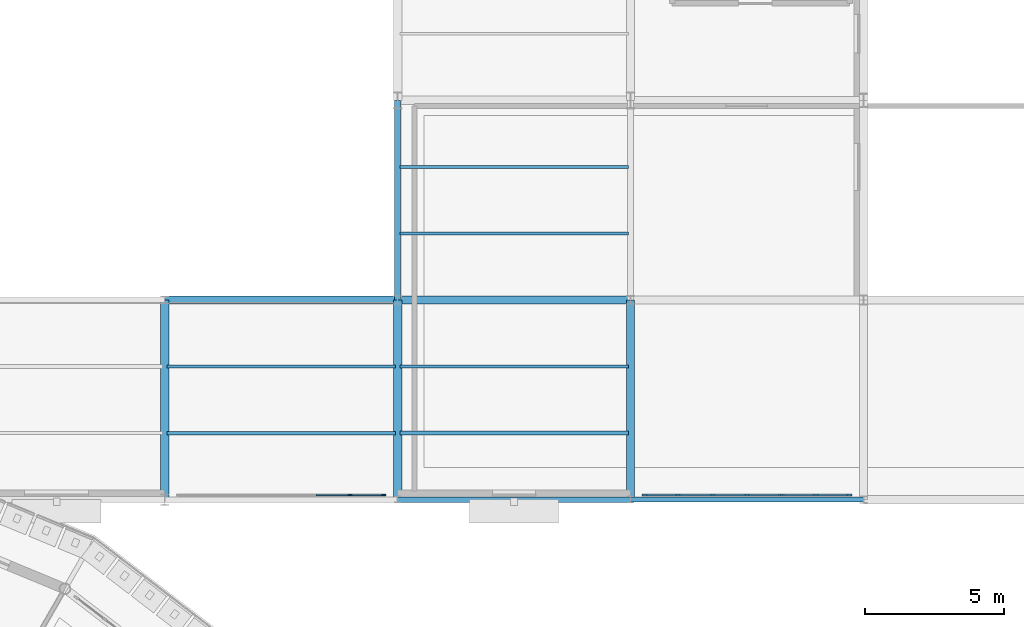
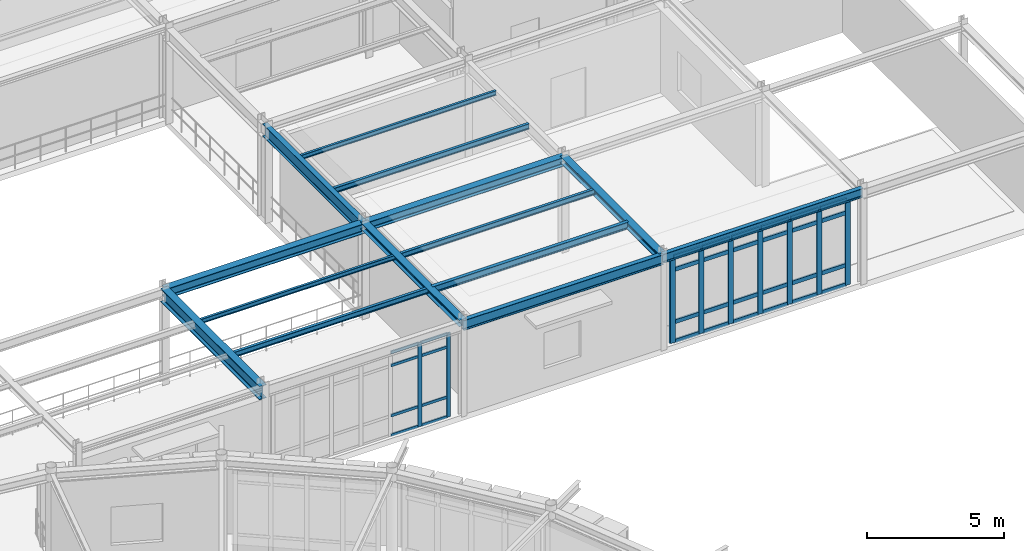
# One storey, part 58 of 106: 41 members, 14 beams, 2 elements without a shape of their own.
"""IFC4 building model written with IfcOpenShell, lengths in metres."""

from ifc_helpers import new_model, si_unit, derived_unit, direction, frame, origin, origin_2d, place, context, subcontext, project, spatial, rectangle, i_section, extrude, material, layer, layer_set, material_profile, profile_set, type_object, element, aggregate, save


model = new_model("IFC4")

# Units and contexts
model_context = context("Model", 3, precision=1e-05, world=origin(), true_north=direction((0.0, 1.0)))
body_context = subcontext(model_context, "Body", "Model", "MODEL_VIEW")
ifc_project = project(units=[si_unit("LENGTHUNIT", "METRE"), si_unit("AREAUNIT", "SQUARE_METRE"), si_unit("VOLUMEUNIT", "CUBIC_METRE"), si_unit("PLANEANGLEUNIT", "RADIAN"), si_unit("MASSUNIT", "GRAM", prefix="KILO"), derived_unit("THERMALTRANSMITTANCEUNIT", [(si_unit("POWERUNIT", "WATT"), 1), (si_unit("AREAUNIT", "SQUARE_METRE"), -1), (si_unit("THERMODYNAMICTEMPERATUREUNIT", "KELVIN"), -1)])], contexts=[model_context])

# Site, building, storey
site_placement = place(None, origin())
site = spatial("IfcSite", under=ifc_project, at=site_placement, CompositionType="ELEMENT")
building_placement = place(site_placement, origin())
building = spatial("IfcBuilding", under=site, at=building_placement, Name="Yasenodar Specialist Clinic", CompositionType="ELEMENT")
storey_placement = place(building_placement, frame((0.0, 0.0, 4.5)))
storey = spatial("IfcBuildingStorey", under=building, at=storey_placement, Name="L01", CompositionType="ELEMENT", Elevation=4.5)

# Beams
ifc_material_1 = material(Name="Steel S355", Category="steel")
ifc_material_profile_1 = material_profile(ifc_material_1, i_section(OverallWidth=0.300048828125, OverallDepth=0.2900390625, WebThickness=0.008544921875, FlangeThickness=0.013916015625, FilletRadius=0.027099609375, at=origin_2d()), Name="HEA 300")
ifc_profile_set_1 = profile_set([ifc_material_profile_1], Name="Steel S355")
beam_type_1 = type_object("IfcBeamType", Name="BM-HEA300", PredefinedType="BEAM", material=ifc_profile_set_1)
for number, where, z_axis, x_axis, name in (
    (1, (105.0, 82.800048828125, 4.10498046875), (0.0, 1.0, 0.0), (-1.0, 0.0, 0.0), "L01 Primary N-S Girder"),
    (2, (113.39990234375, 82.800048828125, 4.10498046875), (0.0, 1.0, 0.0), (-1.0, 0.0, 0.0), "L01 Primary N-S Girder"),
):
    element("IfcBeam", number, at=place(storey_placement, frame(where, z_axis=z_axis, x_axis=x_axis)), inside=storey, type_object=beam_type_1, Name=name, PredefinedType="BEAM", context=body_context, shape_type="SweptSolid", body=[
        extrude(i_section(OverallWidth=0.300048828125, OverallDepth=0.2900390625, WebThickness=0.008544921875, FlangeThickness=0.013916015625, FilletRadius=0.027099609375, at=origin_2d()), origin(), (0.0, 0.0, 1.0), 7.199951171875),
    ])
ifc_material_profile_2 = material_profile(ifc_material_1, i_section(OverallWidth=0.300048828125, OverallDepth=0.389892578125, WebThickness=0.010986328125, FlangeThickness=0.01904296875, FilletRadius=0.027099609375, at=origin_2d()), Name="HEA 400")
ifc_profile_set_2 = profile_set([ifc_material_profile_2], Name="Steel S355")
beam_type_2 = type_object("IfcBeamType", Name="BM-HEA400", PredefinedType="BEAM", material=ifc_profile_set_2)
beam_1_placement = place(storey_placement, frame((105.0, 90.0, 4.054931640625), z_axis=(1.0, 0.0, 0.0), x_axis=(0.0, 1.0, 0.0)))
element("IfcBeam", 3, at=beam_1_placement, inside=storey, type_object=beam_type_2, Name="L01 Primary E-W Girder", PredefinedType="BEAM", context=body_context, shape_type="SweptSolid", body=[
    extrude(i_section(OverallWidth=0.300048828125, OverallDepth=0.389892578125, WebThickness=0.010986328125, FlangeThickness=0.01904296875, FilletRadius=0.027099609375, at=origin_2d()), origin(), (0.0, 0.0, 1.0), 8.39990234375),
])
ifc_material_profile_3 = material_profile(ifc_material_1, i_section(OverallWidth=0.300048828125, OverallDepth=0.43994140625, WebThickness=0.011474609375, FlangeThickness=0.02099609375, FilletRadius=0.027099609375, at=origin_2d()), Name="HEA 450")
ifc_profile_set_3 = profile_set([ifc_material_profile_3], Name="Steel S355")
beam_type_3 = type_object("IfcBeamType", Name="BM-HEA450", PredefinedType="BEAM", material=ifc_profile_set_3)
beam_2_placement = place(storey_placement, frame((96.60009765625, 90.0, 4.030029296875), z_axis=(1.0, 0.0, 0.0), x_axis=(0.0, 1.0, 0.0)))
element("IfcBeam", 4, at=beam_2_placement, inside=storey, type_object=beam_type_3, Name="L01 Primary E-W Girder", PredefinedType="BEAM", context=body_context, shape_type="SweptSolid", body=[
    extrude(i_section(OverallWidth=0.300048828125, OverallDepth=0.43994140625, WebThickness=0.011474609375, FlangeThickness=0.02099609375, FilletRadius=0.027099609375, at=origin_2d()), origin(), (0.0, 0.0, 1.0), 8.39990234375),
])
ifc_material_profile_4 = material_profile(ifc_material_1, i_section(OverallWidth=0.300048828125, OverallDepth=0.60009765625, WebThickness=0.015380859375, FlangeThickness=0.030029296875, FilletRadius=0.027099609375, at=origin_2d()), Name="HEB 600")
ifc_profile_set_4 = profile_set([ifc_material_profile_4], Name="Steel S355")
beam_type_4 = type_object("IfcBeamType", Name="BM-HEB600", PredefinedType="BEAM", material=ifc_profile_set_4)
beam_3_placement = place(storey_placement, frame((96.60009765625, 82.800048828125, 3.949951171875), z_axis=(0.0, 1.0, 0.0), x_axis=(-1.0, 0.0, 0.0)))
element("IfcBeam", 5, at=beam_3_placement, inside=storey, type_object=beam_type_4, Name="L01 Primary N-S Girder", PredefinedType="BEAM", context=body_context, shape_type="SweptSolid", body=[
    extrude(i_section(OverallWidth=0.300048828125, OverallDepth=0.60009765625, WebThickness=0.015380859375, FlangeThickness=0.030029296875, FilletRadius=0.027099609375, at=origin_2d()), origin(), (0.0, 0.0, 1.0), 7.199951171875),
])
ifc_material_profile_5 = material_profile(ifc_material_1, i_section(OverallWidth=0.179931640625, OverallDepth=0.39990234375, WebThickness=0.008544921875, FlangeThickness=0.013427734375, FilletRadius=0.02099609375, at=origin_2d()), Name="IPE 400")
ifc_profile_set_5 = profile_set([ifc_material_profile_5], Name="Steel S355")
beam_type_5 = type_object("IfcBeamType", Name="BM-IPE400", PredefinedType="BEAM", material=ifc_profile_set_5)
beam_4_placement = place(storey_placement, frame((113.39990234375, 82.800048828125, 4.050048828125), z_axis=(1.0, 0.0, 0.0), x_axis=(0.0, 1.0, 0.0)))
element("IfcBeam", 6, at=beam_4_placement, inside=storey, type_object=beam_type_5, Name="L01 Primary E-W Girder", PredefinedType="BEAM", context=body_context, shape_type="SweptSolid", body=[
    extrude(i_section(OverallWidth=0.179931640625, OverallDepth=0.39990234375, WebThickness=0.008544921875, FlangeThickness=0.013427734375, FilletRadius=0.02099609375, at=origin_2d()), origin(), (0.0, 0.0, 1.0), 8.400146484375),
])
ifc_material_profile_6 = material_profile(ifc_material_1, i_section(OverallWidth=0.18994140625, OverallDepth=0.449951171875, WebThickness=0.009521484375, FlangeThickness=0.0146484375, FilletRadius=0.02099609375, at=origin_2d()), Name="IPE 450")
ifc_profile_set_6 = profile_set([ifc_material_profile_6], Name="Steel S355")
beam_type_6 = type_object("IfcBeamType", Name="BM-IPE450", PredefinedType="BEAM", material=ifc_profile_set_6)
beam_5_placement = place(storey_placement, frame((105.0, 82.800048828125, 4.02490234375), z_axis=(1.0, 0.0, 0.0), x_axis=(0.0, 1.0, 0.0)))
element("IfcBeam", 7, at=beam_5_placement, inside=storey, type_object=beam_type_6, Name="L01 Primary E-W Girder", PredefinedType="BEAM", context=body_context, shape_type="SweptSolid", body=[
    extrude(i_section(OverallWidth=0.18994140625, OverallDepth=0.449951171875, WebThickness=0.009521484375, FlangeThickness=0.0146484375, FilletRadius=0.02099609375, at=origin_2d()), origin(), (0.0, 0.0, 1.0), 8.39990234375),
])
ifc_material_profile_7 = material_profile(ifc_material_1, i_section(OverallWidth=0.2099609375, OverallDepth=0.550048828125, WebThickness=0.010986328125, FlangeThickness=0.01708984375, FilletRadius=0.02392578125, at=origin_2d()), Name="IPE 550")
ifc_profile_set_7 = profile_set([ifc_material_profile_7], Name="Steel S355")
beam_type_7 = type_object("IfcBeamType", Name="BM-IPE550", PredefinedType="BEAM", material=ifc_profile_set_7)
beam_6_placement = place(storey_placement, frame((105.0, 90.0, 3.97509765625), z_axis=(0.0, 1.0, 0.0), x_axis=(-1.0, 0.0, 0.0)))
element("IfcBeam", 8, at=beam_6_placement, inside=storey, type_object=beam_type_7, Name="L01 Primary N-S Girder", PredefinedType="BEAM", context=body_context, shape_type="SweptSolid", body=[
    extrude(i_section(OverallWidth=0.2099609375, OverallDepth=0.550048828125, WebThickness=0.010986328125, FlangeThickness=0.01708984375, FilletRadius=0.02392578125, at=origin_2d()), origin(), (0.0, 0.0, 1.0), 7.199951171875),
])

# Curtain wall, members
ifc_material_2 = material(Name="Bronze Anodized Aluminium and Triple Low-E Glass", Category="aluminium")
ifc_layer = layer(ifc_material_2, 0.215087890625)
ifc_layer_set = layer_set([ifc_layer], Name="Bronze Anodized Aluminium and Triple Low-E Glass")
curtain_wall_type = type_object("IfcCurtainWallType", Name="CW-SYS-05", PredefinedType="USERDEFINED", material=ifc_layer_set)
curtain_wall_1_placement = place(storey_placement, origin())
curtain_wall_1 = element("IfcCurtainWall", 9, at=curtain_wall_1_placement, inside=storey, type_object=curtain_wall_type, Name="L01 Unitised Curtain Wall 151", ObjectType="UNITISED CURTAIN WALL", PredefinedType="USERDEFINED")
ifc_material_3 = material(Name="Bronze Anodized Aluminium", Category="aluminium")
ifc_material_profile_8 = material_profile(ifc_material_3, rectangle(XDim=0.06005859375, YDim=0.159912109375, at=origin_2d()), Name="CW-MULL 60x160")
ifc_profile_set_8 = profile_set([ifc_material_profile_8], Name="Bronze Anodized Aluminium")
member_type_1 = type_object("IfcMemberType", Name="CW-MULL-160", PredefinedType="MULLION", material=ifc_profile_set_8)
member_1_placement = place(storey_placement, frame((104.489990234375, 82.969970703125, 0.0), z_axis=(0.0, 0.0, 1.0), x_axis=(0.0, -1.0, 0.0)))
member_1 = element("IfcMember", 10, at=member_1_placement, type_object=member_type_1, Name="CW-05 mullion 1", PredefinedType="MULLION", context=body_context, shape_type="SweptSolid", body=[
    extrude(rectangle(XDim=0.06005859375, YDim=0.159912109375, at=origin_2d()), origin(), (0.0, 0.0, 1.0), 3.72802734375),
])
member_2_placement = place(storey_placement, frame((103.280029296875, 82.969970703125, 0.0), z_axis=(0.0, 0.0, 1.0), x_axis=(0.0, -1.0, 0.0)))
member_2 = element("IfcMember", 11, at=member_2_placement, type_object=member_type_1, Name="CW-05 mullion 2", PredefinedType="MULLION", context=body_context, shape_type="SweptSolid", body=[
    extrude(rectangle(XDim=0.06005859375, YDim=0.159912109375, at=origin_2d()), origin(), (0.0, 0.0, 1.0), 3.72802734375),
])

curtain_wall_2_placement = place(storey_placement, origin())
curtain_wall_2 = element("IfcCurtainWall", 12, at=curtain_wall_2_placement, inside=storey, type_object=curtain_wall_type, Name="L01 Unitised Curtain Wall 150", ObjectType="UNITISED CURTAIN WALL", PredefinedType="USERDEFINED")
ifc_material_profile_9 = material_profile(ifc_material_3, rectangle(XDim=0.074951171875, YDim=0.22509765625, at=origin_2d()), Name="CW-MULL 75x225")
ifc_profile_set_9 = profile_set([ifc_material_profile_9], Name="Bronze Anodized Aluminium")
member_type_2 = type_object("IfcMemberType", Name="CW-MULL-225", PredefinedType="MULLION", material=ifc_profile_set_9)
member_3_placement = place(storey_placement, frame((121.282470703125, 82.969970703125, 0.0), z_axis=(0.0, 0.0, 1.0), x_axis=(0.0, -1.0, 0.0)))
member_3 = element("IfcMember", 13, at=member_3_placement, type_object=member_type_2, Name="CW-05 mullion 1", PredefinedType="MULLION", context=body_context, shape_type="SweptSolid", body=[
    extrude(rectangle(XDim=0.074951171875, YDim=0.22509765625, at=origin_2d()), origin(), (0.0, 0.0, 1.0), 3.827880859375),
])
member_4_placement = place(storey_placement, frame((120.080078125, 82.969970703125, 0.0), z_axis=(0.0, 0.0, 1.0), x_axis=(0.0, -1.0, 0.0)))
member_4 = element("IfcMember", 14, at=member_4_placement, type_object=member_type_2, Name="CW-05 mullion 2", PredefinedType="MULLION", context=body_context, shape_type="SweptSolid", body=[
    extrude(rectangle(XDim=0.074951171875, YDim=0.22509765625, at=origin_2d()), origin(), (0.0, 0.0, 1.0), 3.827880859375),
])
member_5_placement = place(storey_placement, frame((118.840087890625, 82.969970703125, 0.0), z_axis=(0.0, 0.0, 1.0), x_axis=(0.0, -1.0, 0.0)))
member_5 = element("IfcMember", 15, at=member_5_placement, type_object=member_type_2, Name="CW-05 mullion 3", PredefinedType="MULLION", context=body_context, shape_type="SweptSolid", body=[
    extrude(rectangle(XDim=0.074951171875, YDim=0.22509765625, at=origin_2d()), origin(), (0.0, 0.0, 1.0), 3.827880859375),
])
member_6_placement = place(storey_placement, frame((117.60009765625, 82.969970703125, 0.0), z_axis=(0.0, 0.0, 1.0), x_axis=(0.0, -1.0, 0.0)))
member_6 = element("IfcMember", 16, at=member_6_placement, type_object=member_type_2, Name="CW-05 mullion 4", PredefinedType="MULLION", context=body_context, shape_type="SweptSolid", body=[
    extrude(rectangle(XDim=0.074951171875, YDim=0.22509765625, at=origin_2d()), origin(), (0.0, 0.0, 1.0), 3.827880859375),
])
member_7_placement = place(storey_placement, frame((116.360107421875, 82.969970703125, 0.0), z_axis=(0.0, 0.0, 1.0), x_axis=(0.0, -1.0, 0.0)))
member_7 = element("IfcMember", 17, at=member_7_placement, type_object=member_type_2, Name="CW-05 mullion 5", PredefinedType="MULLION", context=body_context, shape_type="SweptSolid", body=[
    extrude(rectangle(XDim=0.074951171875, YDim=0.22509765625, at=origin_2d()), origin(), (0.0, 0.0, 1.0), 3.827880859375),
])
member_8_placement = place(storey_placement, frame((115.1201171875, 82.969970703125, 0.0), z_axis=(0.0, 0.0, 1.0), x_axis=(0.0, -1.0, 0.0)))
member_8 = element("IfcMember", 18, at=member_8_placement, type_object=member_type_2, Name="CW-05 mullion 6", PredefinedType="MULLION", context=body_context, shape_type="SweptSolid", body=[
    extrude(rectangle(XDim=0.074951171875, YDim=0.22509765625, at=origin_2d()), origin(), (0.0, 0.0, 1.0), 3.827880859375),
])
member_9_placement = place(storey_placement, frame((113.91748046875, 82.969970703125, 0.0), z_axis=(0.0, 0.0, 1.0), x_axis=(0.0, -1.0, 0.0)))
member_9 = element("IfcMember", 19, at=member_9_placement, type_object=member_type_2, Name="CW-05 mullion 7", PredefinedType="MULLION", context=body_context, shape_type="SweptSolid", body=[
    extrude(rectangle(XDim=0.074951171875, YDim=0.22509765625, at=origin_2d()), origin(), (0.0, 0.0, 1.0), 3.827880859375),
])

# Member
ifc_material_profile_10 = material_profile(ifc_material_3, rectangle(XDim=0.06005859375, YDim=0.1201171875, at=origin_2d()), Name="CW-TRAN 60x120")
ifc_profile_set_10 = profile_set([ifc_material_profile_10], Name="Bronze Anodized Aluminium")
member_type_3 = type_object("IfcMemberType", Name="CW-TRAN-120", PredefinedType="USERDEFINED", material=ifc_profile_set_10)
member_10_placement = place(storey_placement, frame((104.4599609375, 82.969970703125, 0.030029296875), z_axis=(-1.0, 0.0, 0.0), x_axis=(0.0, -1.0, 0.0)))
member_10 = element("IfcMember", 20, at=member_10_placement, type_object=member_type_3, Name="CW-05 transom 1.1", ObjectType="TRANSOM", PredefinedType="USERDEFINED", context=body_context, shape_type="SweptSolid", body=[
    extrude(rectangle(XDim=0.06005859375, YDim=0.1201171875, at=origin_2d()), origin(), (0.0, 0.0, 1.0), 1.14990234375),
])

member_11_placement = place(storey_placement, frame((104.4599609375, 82.969970703125, 0.89990234375), z_axis=(-1.0, 0.0, 0.0), x_axis=(0.0, -1.0, 0.0)))
member_11 = element("IfcMember", 21, at=member_11_placement, type_object=member_type_3, Name="CW-05 transom 1.2", ObjectType="TRANSOM", PredefinedType="USERDEFINED", context=body_context, shape_type="SweptSolid", body=[
    extrude(rectangle(XDim=0.06005859375, YDim=0.1201171875, at=origin_2d()), origin(), (0.0, 0.0, 1.0), 1.14990234375),
])

member_12_placement = place(storey_placement, frame((104.4599609375, 82.969970703125, 3.1279296875), z_axis=(-1.0, 0.0, 0.0), x_axis=(0.0, -1.0, 0.0)))
member_12 = element("IfcMember", 22, at=member_12_placement, type_object=member_type_3, Name="CW-05 transom 1.3", ObjectType="TRANSOM", PredefinedType="USERDEFINED", context=body_context, shape_type="SweptSolid", body=[
    extrude(rectangle(XDim=0.06005859375, YDim=0.1201171875, at=origin_2d()), origin(), (0.0, 0.0, 1.0), 1.14990234375),
])

member_13_placement = place(storey_placement, frame((104.4599609375, 82.969970703125, 3.697998046875), z_axis=(-1.0, 0.0, 0.0), x_axis=(0.0, -1.0, 0.0)))
member_13 = element("IfcMember", 23, at=member_13_placement, type_object=member_type_3, Name="CW-05 transom 1.4", ObjectType="TRANSOM", PredefinedType="USERDEFINED", context=body_context, shape_type="SweptSolid", body=[
    extrude(rectangle(XDim=0.06005859375, YDim=0.1201171875, at=origin_2d()), origin(), (0.0, 0.0, 1.0), 1.14990234375),
])

member_14_placement = place(storey_placement, frame((103.25, 82.969970703125, 0.030029296875), z_axis=(-1.0, 0.0, 0.0), x_axis=(0.0, -1.0, 0.0)))
member_14 = element("IfcMember", 24, at=member_14_placement, type_object=member_type_3, Name="CW-05 transom 2.1", ObjectType="TRANSOM", PredefinedType="USERDEFINED", context=body_context, shape_type="SweptSolid", body=[
    extrude(rectangle(XDim=0.06005859375, YDim=0.1201171875, at=origin_2d()), origin(), (0.0, 0.0, 1.0), 1.179931640625),
])

member_15_placement = place(storey_placement, frame((103.25, 82.969970703125, 0.89990234375), z_axis=(-1.0, 0.0, 0.0), x_axis=(0.0, -1.0, 0.0)))
member_15 = element("IfcMember", 25, at=member_15_placement, type_object=member_type_3, Name="CW-05 transom 2.2", ObjectType="TRANSOM", PredefinedType="USERDEFINED", context=body_context, shape_type="SweptSolid", body=[
    extrude(rectangle(XDim=0.06005859375, YDim=0.1201171875, at=origin_2d()), origin(), (0.0, 0.0, 1.0), 1.179931640625),
])

member_16_placement = place(storey_placement, frame((103.25, 82.969970703125, 3.1279296875), z_axis=(-1.0, 0.0, 0.0), x_axis=(0.0, -1.0, 0.0)))
member_16 = element("IfcMember", 26, at=member_16_placement, type_object=member_type_3, Name="CW-05 transom 2.3", ObjectType="TRANSOM", PredefinedType="USERDEFINED", context=body_context, shape_type="SweptSolid", body=[
    extrude(rectangle(XDim=0.06005859375, YDim=0.1201171875, at=origin_2d()), origin(), (0.0, 0.0, 1.0), 1.179931640625),
])

member_17_placement = place(storey_placement, frame((103.25, 82.969970703125, 3.697998046875), z_axis=(-1.0, 0.0, 0.0), x_axis=(0.0, -1.0, 0.0)))
member_17 = element("IfcMember", 27, at=member_17_placement, type_object=member_type_3, Name="CW-05 transom 2.4", ObjectType="TRANSOM", PredefinedType="USERDEFINED", context=body_context, shape_type="SweptSolid", body=[
    extrude(rectangle(XDim=0.06005859375, YDim=0.1201171875, at=origin_2d()), origin(), (0.0, 0.0, 1.0), 1.179931640625),
])

aggregate(curtain_wall_1, [member_1, member_2, member_10, member_11, member_12, member_13, member_14, member_15, member_16, member_17])

ifc_material_profile_11 = material_profile(ifc_material_3, rectangle(XDim=0.074951171875, YDim=0.175048828125, at=origin_2d()), Name="CW-TRAN 75x175")
ifc_profile_set_11 = profile_set([ifc_material_profile_11], Name="Bronze Anodized Aluminium")
member_type_4 = type_object("IfcMemberType", Name="CW-TRAN-175", PredefinedType="USERDEFINED", material=ifc_profile_set_11)
member_18_placement = place(storey_placement, frame((121.2451171875, 82.969970703125, 0.03759765625), z_axis=(-1.0, 0.0, 0.0), x_axis=(0.0, -1.0, 0.0)))
member_18 = element("IfcMember", 28, at=member_18_placement, type_object=member_type_4, Name="CW-05 transom 1.1", ObjectType="TRANSOM", PredefinedType="USERDEFINED", context=body_context, shape_type="SweptSolid", body=[
    extrude(rectangle(XDim=0.074951171875, YDim=0.175048828125, at=origin_2d()), origin(), (0.0, 0.0, 1.0), 1.127685546875),
])

member_19_placement = place(storey_placement, frame((121.2451171875, 82.969970703125, 0.89990234375), z_axis=(-1.0, 0.0, 0.0), x_axis=(0.0, -1.0, 0.0)))
member_19 = element("IfcMember", 29, at=member_19_placement, type_object=member_type_4, Name="CW-05 transom 1.2", ObjectType="TRANSOM", PredefinedType="USERDEFINED", context=body_context, shape_type="SweptSolid", body=[
    extrude(rectangle(XDim=0.074951171875, YDim=0.175048828125, at=origin_2d()), origin(), (0.0, 0.0, 1.0), 1.127685546875),
])

member_20_placement = place(storey_placement, frame((121.2451171875, 82.969970703125, 3.22802734375), z_axis=(-1.0, 0.0, 0.0), x_axis=(0.0, -1.0, 0.0)))
member_20 = element("IfcMember", 30, at=member_20_placement, type_object=member_type_4, Name="CW-05 transom 1.3", ObjectType="TRANSOM", PredefinedType="USERDEFINED", context=body_context, shape_type="SweptSolid", body=[
    extrude(rectangle(XDim=0.074951171875, YDim=0.175048828125, at=origin_2d()), origin(), (0.0, 0.0, 1.0), 1.127685546875),
])

member_21_placement = place(storey_placement, frame((121.2451171875, 82.969970703125, 3.79052734375), z_axis=(-1.0, 0.0, 0.0), x_axis=(0.0, -1.0, 0.0)))
member_21 = element("IfcMember", 31, at=member_21_placement, type_object=member_type_4, Name="CW-05 transom 1.4", ObjectType="TRANSOM", PredefinedType="USERDEFINED", context=body_context, shape_type="SweptSolid", body=[
    extrude(rectangle(XDim=0.074951171875, YDim=0.175048828125, at=origin_2d()), origin(), (0.0, 0.0, 1.0), 1.127685546875),
])

member_22_placement = place(storey_placement, frame((120.04248046875, 82.969970703125, 0.03759765625), z_axis=(-1.0, 0.0, 0.0), x_axis=(0.0, -1.0, 0.0)))
member_22 = element("IfcMember", 32, at=member_22_placement, type_object=member_type_4, Name="CW-05 transom 2.1", ObjectType="TRANSOM", PredefinedType="USERDEFINED", context=body_context, shape_type="SweptSolid", body=[
    extrude(rectangle(XDim=0.074951171875, YDim=0.175048828125, at=origin_2d()), origin(), (0.0, 0.0, 1.0), 1.1650390625),
])

member_23_placement = place(storey_placement, frame((120.04248046875, 82.969970703125, 0.89990234375), z_axis=(-1.0, 0.0, 0.0), x_axis=(0.0, -1.0, 0.0)))
member_23 = element("IfcMember", 33, at=member_23_placement, type_object=member_type_4, Name="CW-05 transom 2.2", ObjectType="TRANSOM", PredefinedType="USERDEFINED", context=body_context, shape_type="SweptSolid", body=[
    extrude(rectangle(XDim=0.074951171875, YDim=0.175048828125, at=origin_2d()), origin(), (0.0, 0.0, 1.0), 1.1650390625),
])

member_24_placement = place(storey_placement, frame((120.04248046875, 82.969970703125, 3.22802734375), z_axis=(-1.0, 0.0, 0.0), x_axis=(0.0, -1.0, 0.0)))
member_24 = element("IfcMember", 34, at=member_24_placement, type_object=member_type_4, Name="CW-05 transom 2.3", ObjectType="TRANSOM", PredefinedType="USERDEFINED", context=body_context, shape_type="SweptSolid", body=[
    extrude(rectangle(XDim=0.074951171875, YDim=0.175048828125, at=origin_2d()), origin(), (0.0, 0.0, 1.0), 1.1650390625),
])

member_25_placement = place(storey_placement, frame((120.04248046875, 82.969970703125, 3.79052734375), z_axis=(-1.0, 0.0, 0.0), x_axis=(0.0, -1.0, 0.0)))
member_25 = element("IfcMember", 35, at=member_25_placement, type_object=member_type_4, Name="CW-05 transom 2.4", ObjectType="TRANSOM", PredefinedType="USERDEFINED", context=body_context, shape_type="SweptSolid", body=[
    extrude(rectangle(XDim=0.074951171875, YDim=0.175048828125, at=origin_2d()), origin(), (0.0, 0.0, 1.0), 1.1650390625),
])

member_26_placement = place(storey_placement, frame((118.802490234375, 82.969970703125, 0.03759765625), z_axis=(-1.0, 0.0, 0.0), x_axis=(0.0, -1.0, 0.0)))
member_26 = element("IfcMember", 36, at=member_26_placement, type_object=member_type_4, Name="CW-05 transom 3.1", ObjectType="TRANSOM", PredefinedType="USERDEFINED", context=body_context, shape_type="SweptSolid", body=[
    extrude(rectangle(XDim=0.074951171875, YDim=0.175048828125, at=origin_2d()), origin(), (0.0, 0.0, 1.0), 1.1650390625),
])

member_27_placement = place(storey_placement, frame((118.802490234375, 82.969970703125, 0.89990234375), z_axis=(-1.0, 0.0, 0.0), x_axis=(0.0, -1.0, 0.0)))
member_27 = element("IfcMember", 37, at=member_27_placement, type_object=member_type_4, Name="CW-05 transom 3.2", ObjectType="TRANSOM", PredefinedType="USERDEFINED", context=body_context, shape_type="SweptSolid", body=[
    extrude(rectangle(XDim=0.074951171875, YDim=0.175048828125, at=origin_2d()), origin(), (0.0, 0.0, 1.0), 1.1650390625),
])

member_28_placement = place(storey_placement, frame((118.802490234375, 82.969970703125, 3.22802734375), z_axis=(-1.0, 0.0, 0.0), x_axis=(0.0, -1.0, 0.0)))
member_28 = element("IfcMember", 38, at=member_28_placement, type_object=member_type_4, Name="CW-05 transom 3.3", ObjectType="TRANSOM", PredefinedType="USERDEFINED", context=body_context, shape_type="SweptSolid", body=[
    extrude(rectangle(XDim=0.074951171875, YDim=0.175048828125, at=origin_2d()), origin(), (0.0, 0.0, 1.0), 1.1650390625),
])

member_29_placement = place(storey_placement, frame((118.802490234375, 82.969970703125, 3.79052734375), z_axis=(-1.0, 0.0, 0.0), x_axis=(0.0, -1.0, 0.0)))
member_29 = element("IfcMember", 39, at=member_29_placement, type_object=member_type_4, Name="CW-05 transom 3.4", ObjectType="TRANSOM", PredefinedType="USERDEFINED", context=body_context, shape_type="SweptSolid", body=[
    extrude(rectangle(XDim=0.074951171875, YDim=0.175048828125, at=origin_2d()), origin(), (0.0, 0.0, 1.0), 1.1650390625),
])

member_30_placement = place(storey_placement, frame((117.5625, 82.969970703125, 0.03759765625), z_axis=(-1.0, 0.0, 0.0), x_axis=(0.0, -1.0, 0.0)))
member_30 = element("IfcMember", 40, at=member_30_placement, type_object=member_type_4, Name="CW-05 transom 4.1", ObjectType="TRANSOM", PredefinedType="USERDEFINED", context=body_context, shape_type="SweptSolid", body=[
    extrude(rectangle(XDim=0.074951171875, YDim=0.175048828125, at=origin_2d()), origin(), (0.0, 0.0, 1.0), 1.1650390625),
])

member_31_placement = place(storey_placement, frame((117.5625, 82.969970703125, 0.89990234375), z_axis=(-1.0, 0.0, 0.0), x_axis=(0.0, -1.0, 0.0)))
member_31 = element("IfcMember", 41, at=member_31_placement, type_object=member_type_4, Name="CW-05 transom 4.2", ObjectType="TRANSOM", PredefinedType="USERDEFINED", context=body_context, shape_type="SweptSolid", body=[
    extrude(rectangle(XDim=0.074951171875, YDim=0.175048828125, at=origin_2d()), origin(), (0.0, 0.0, 1.0), 1.1650390625),
])

member_32_placement = place(storey_placement, frame((117.5625, 82.969970703125, 3.22802734375), z_axis=(-1.0, 0.0, 0.0), x_axis=(0.0, -1.0, 0.0)))
member_32 = element("IfcMember", 42, at=member_32_placement, type_object=member_type_4, Name="CW-05 transom 4.3", ObjectType="TRANSOM", PredefinedType="USERDEFINED", context=body_context, shape_type="SweptSolid", body=[
    extrude(rectangle(XDim=0.074951171875, YDim=0.175048828125, at=origin_2d()), origin(), (0.0, 0.0, 1.0), 1.1650390625),
])

member_33_placement = place(storey_placement, frame((117.5625, 82.969970703125, 3.79052734375), z_axis=(-1.0, 0.0, 0.0), x_axis=(0.0, -1.0, 0.0)))
member_33 = element("IfcMember", 43, at=member_33_placement, type_object=member_type_4, Name="CW-05 transom 4.4", ObjectType="TRANSOM", PredefinedType="USERDEFINED", context=body_context, shape_type="SweptSolid", body=[
    extrude(rectangle(XDim=0.074951171875, YDim=0.175048828125, at=origin_2d()), origin(), (0.0, 0.0, 1.0), 1.1650390625),
])

member_34_placement = place(storey_placement, frame((116.322509765625, 82.969970703125, 0.03759765625), z_axis=(-1.0, 0.0, 0.0), x_axis=(0.0, -1.0, 0.0)))
member_34 = element("IfcMember", 44, at=member_34_placement, type_object=member_type_4, Name="CW-05 transom 5.1", ObjectType="TRANSOM", PredefinedType="USERDEFINED", context=body_context, shape_type="SweptSolid", body=[
    extrude(rectangle(XDim=0.074951171875, YDim=0.175048828125, at=origin_2d()), origin(), (0.0, 0.0, 1.0), 1.1650390625),
])

member_35_placement = place(storey_placement, frame((116.322509765625, 82.969970703125, 0.89990234375), z_axis=(-1.0, 0.0, 0.0), x_axis=(0.0, -1.0, 0.0)))
member_35 = element("IfcMember", 45, at=member_35_placement, type_object=member_type_4, Name="CW-05 transom 5.2", ObjectType="TRANSOM", PredefinedType="USERDEFINED", context=body_context, shape_type="SweptSolid", body=[
    extrude(rectangle(XDim=0.074951171875, YDim=0.175048828125, at=origin_2d()), origin(), (0.0, 0.0, 1.0), 1.1650390625),
])

member_36_placement = place(storey_placement, frame((116.322509765625, 82.969970703125, 3.22802734375), z_axis=(-1.0, 0.0, 0.0), x_axis=(0.0, -1.0, 0.0)))
member_36 = element("IfcMember", 46, at=member_36_placement, type_object=member_type_4, Name="CW-05 transom 5.3", ObjectType="TRANSOM", PredefinedType="USERDEFINED", context=body_context, shape_type="SweptSolid", body=[
    extrude(rectangle(XDim=0.074951171875, YDim=0.175048828125, at=origin_2d()), origin(), (0.0, 0.0, 1.0), 1.1650390625),
])

member_37_placement = place(storey_placement, frame((116.322509765625, 82.969970703125, 3.79052734375), z_axis=(-1.0, 0.0, 0.0), x_axis=(0.0, -1.0, 0.0)))
member_37 = element("IfcMember", 47, at=member_37_placement, type_object=member_type_4, Name="CW-05 transom 5.4", ObjectType="TRANSOM", PredefinedType="USERDEFINED", context=body_context, shape_type="SweptSolid", body=[
    extrude(rectangle(XDim=0.074951171875, YDim=0.175048828125, at=origin_2d()), origin(), (0.0, 0.0, 1.0), 1.1650390625),
])

member_38_placement = place(storey_placement, frame((115.08251953125, 82.969970703125, 0.03759765625), z_axis=(-1.0, 0.0, 0.0), x_axis=(0.0, -1.0, 0.0)))
member_38 = element("IfcMember", 48, at=member_38_placement, type_object=member_type_4, Name="CW-05 transom 6.1", ObjectType="TRANSOM", PredefinedType="USERDEFINED", context=body_context, shape_type="SweptSolid", body=[
    extrude(rectangle(XDim=0.074951171875, YDim=0.175048828125, at=origin_2d()), origin(), (0.0, 0.0, 1.0), 1.12744140625),
])

member_39_placement = place(storey_placement, frame((115.08251953125, 82.969970703125, 0.89990234375), z_axis=(-1.0, 0.0, 0.0), x_axis=(0.0, -1.0, 0.0)))
member_39 = element("IfcMember", 49, at=member_39_placement, type_object=member_type_4, Name="CW-05 transom 6.2", ObjectType="TRANSOM", PredefinedType="USERDEFINED", context=body_context, shape_type="SweptSolid", body=[
    extrude(rectangle(XDim=0.074951171875, YDim=0.175048828125, at=origin_2d()), origin(), (0.0, 0.0, 1.0), 1.12744140625),
])

member_40_placement = place(storey_placement, frame((115.08251953125, 82.969970703125, 3.22802734375), z_axis=(-1.0, 0.0, 0.0), x_axis=(0.0, -1.0, 0.0)))
member_40 = element("IfcMember", 50, at=member_40_placement, type_object=member_type_4, Name="CW-05 transom 6.3", ObjectType="TRANSOM", PredefinedType="USERDEFINED", context=body_context, shape_type="SweptSolid", body=[
    extrude(rectangle(XDim=0.074951171875, YDim=0.175048828125, at=origin_2d()), origin(), (0.0, 0.0, 1.0), 1.12744140625),
])

member_41_placement = place(storey_placement, frame((115.08251953125, 82.969970703125, 3.79052734375), z_axis=(-1.0, 0.0, 0.0), x_axis=(0.0, -1.0, 0.0)))
member_41 = element("IfcMember", 51, at=member_41_placement, type_object=member_type_4, Name="CW-05 transom 6.4", ObjectType="TRANSOM", PredefinedType="USERDEFINED", context=body_context, shape_type="SweptSolid", body=[
    extrude(rectangle(XDim=0.074951171875, YDim=0.175048828125, at=origin_2d()), origin(), (0.0, 0.0, 1.0), 1.12744140625),
])

aggregate(curtain_wall_2, [member_3, member_4, member_5, member_6, member_7, member_8, member_9, member_18, member_19, member_20, member_21, member_22, member_23, member_24, member_25, member_26, member_27, member_28, member_29, member_30, member_31, member_32, member_33, member_34, member_35, member_36, member_37, member_38, member_39, member_40, member_41])

# Beams
ifc_material_profile_12 = material_profile(ifc_material_1, i_section(OverallWidth=0.10009765625, OverallDepth=0.199951171875, WebThickness=0.005615234375, FlangeThickness=0.008544921875, FilletRadius=0.011962890625, at=origin_2d()), Name="IPE 200")
ifc_profile_set_12 = profile_set([ifc_material_profile_12], Name="Steel S355")
beam_type_8 = type_object("IfcBeamType", Name="JS-IPE200", PredefinedType="JOIST", material=ifc_profile_set_12)
for number, where, z_axis, x_axis, name in (
    (52, (96.679931640625, 87.60009765625, 4.14990234375), (1.0, 0.0, 0.0), (0.0, 1.0, 0.0), "L01 Composite Floor Joist"),
    (53, (105.080078125, 94.800048828125, 4.14990234375), (1.0, 0.0, 0.0), (0.0, 1.0, 0.0), "L01 Composite Floor Joist"),
):
    element("IfcBeam", number, at=place(storey_placement, frame(where, z_axis=z_axis, x_axis=x_axis)), inside=storey, type_object=beam_type_8, Name=name, PredefinedType="JOIST", context=body_context, shape_type="SweptSolid", body=[
        extrude(i_section(OverallWidth=0.10009765625, OverallDepth=0.199951171875, WebThickness=0.005615234375, FlangeThickness=0.008544921875, FilletRadius=0.011962890625, at=origin_2d()), origin(), (0.0, 0.0, 1.0), 8.239990234375),
    ])
ifc_material_profile_13 = material_profile(ifc_material_1, i_section(OverallWidth=0.1201171875, OverallDepth=0.239990234375, WebThickness=0.006103515625, FlangeThickness=0.009765625, FilletRadius=0.014892578125, at=origin_2d()), Name="IPE 240")
ifc_profile_set_13 = profile_set([ifc_material_profile_13], Name="Steel S355")
beam_type_9 = type_object("IfcBeamType", Name="JS-IPE240", PredefinedType="JOIST", material=ifc_profile_set_13)
for number, where, z_axis, x_axis, name in (
    (54, (96.679931640625, 85.199951171875, 4.1298828125), (1.0, 0.0, 0.0), (0.0, 1.0, 0.0), "L01 Composite Floor Joist"),
    (55, (105.080078125, 87.60009765625, 4.1298828125), (1.0, 0.0, 0.0), (0.0, 1.0, 0.0), "L01 Composite Floor Joist"),
    (56, (105.080078125, 92.39990234375, 4.1298828125), (1.0, 0.0, 0.0), (0.0, 1.0, 0.0), "L01 Composite Floor Joist"),
):
    element("IfcBeam", number, at=place(storey_placement, frame(where, z_axis=z_axis, x_axis=x_axis)), inside=storey, type_object=beam_type_9, Name=name, PredefinedType="JOIST", context=body_context, shape_type="SweptSolid", body=[
        extrude(i_section(OverallWidth=0.1201171875, OverallDepth=0.239990234375, WebThickness=0.006103515625, FlangeThickness=0.009765625, FilletRadius=0.014892578125, at=origin_2d()), origin(), (0.0, 0.0, 1.0), 8.239990234375),
    ])
ifc_material_profile_14 = material_profile(ifc_material_1, i_section(OverallWidth=0.14990234375, OverallDepth=0.300048828125, WebThickness=0.007080078125, FlangeThickness=0.0107421875, FilletRadius=0.014892578125, at=origin_2d()), Name="IPE 300")
ifc_profile_set_14 = profile_set([ifc_material_profile_14], Name="Steel S355")
beam_type_10 = type_object("IfcBeamType", Name="JS-IPE300", PredefinedType="JOIST", material=ifc_profile_set_14)
beam_7_placement = place(storey_placement, frame((105.080078125, 85.199951171875, 4.10009765625), z_axis=(1.0, 0.0, 0.0), x_axis=(0.0, 1.0, 0.0)))
element("IfcBeam", 57, at=beam_7_placement, inside=storey, type_object=beam_type_10, Name="L01 Composite Floor Joist", PredefinedType="JOIST", context=body_context, shape_type="SweptSolid", body=[
    extrude(i_section(OverallWidth=0.14990234375, OverallDepth=0.300048828125, WebThickness=0.007080078125, FlangeThickness=0.0107421875, FilletRadius=0.014892578125, at=origin_2d()), origin(), (0.0, 0.0, 1.0), 8.239990234375),
])

save(model, "model.ifc")
